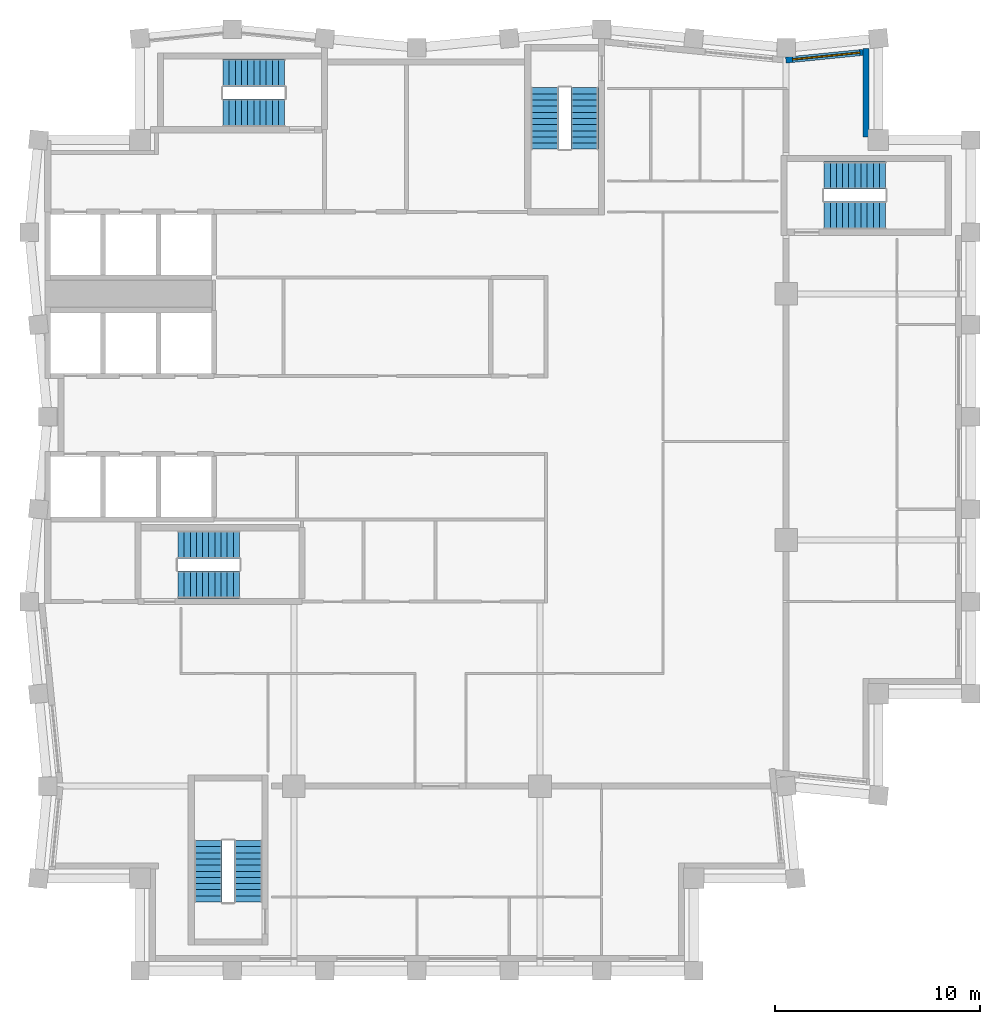
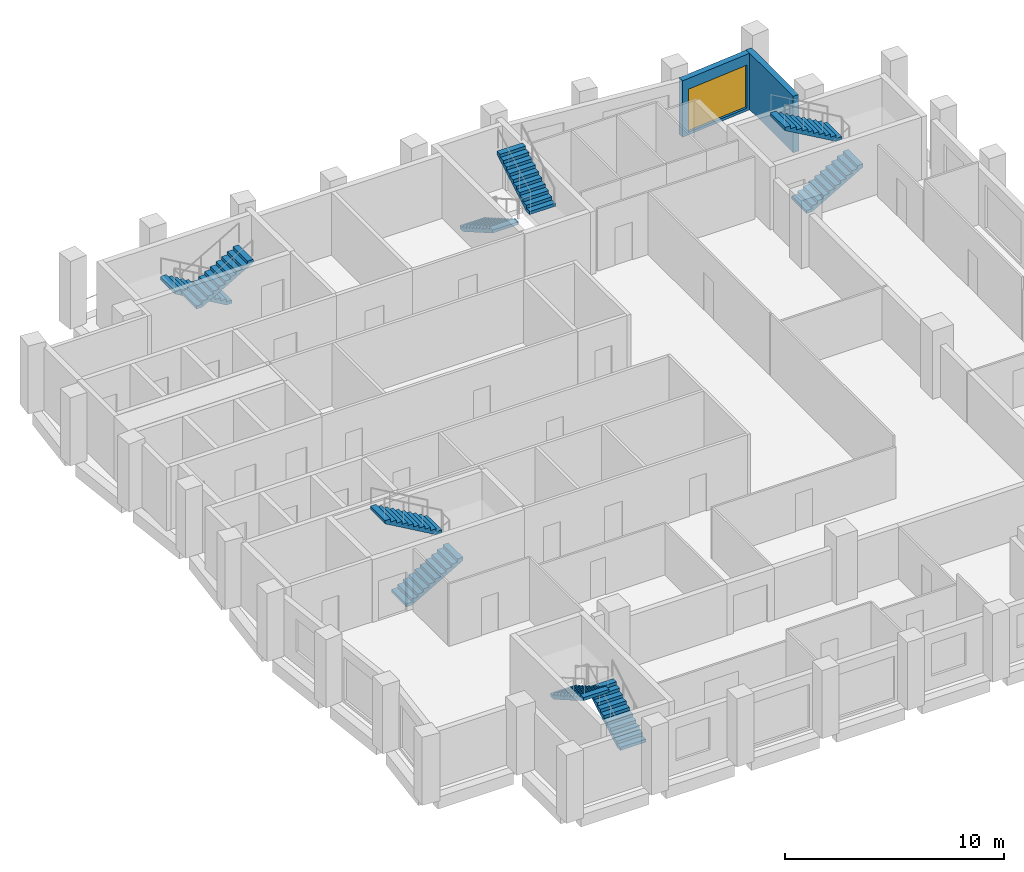
# One storey, part 6 of 7: 10 stair flights, 2 walls, 1 window, 1 opening, 5 elements without a shape of their own.
"""IFC4 building model written with IfcOpenShell, lengths in metres."""

import ifcopenshell
import ifcopenshell.guid

model = None  # the IFC model being written
_history = None  # IfcOwnerHistory: only IFC2X3 demands one
_inside = {}  # id of a spatial element -> (the spatial element, [elements in it])
_under = {}  # id of a project, library or spatial element -> (it, [spatial elements below it])
_declared = {}  # id of a project -> (the project, [libraries it declares])
_typed = {}  # id of a type object -> (the type object, [elements of that type])
_made_of = {}  # id of a material, layer set ... -> (it, [elements and type objects made of it])


def new_model(schema):
    """Start an empty IFC model of exactly this schema.

    Asked for "IFC4X3", IfcOpenShell would pick the latest addendum, in which some entities
    have other attributes; the version numbers below select the first issue.
    IFC2X3 requires an IfcOwnerHistory on every rooted entity: one is made here for all.
    """
    global model, _history
    if schema == "IFC4X3":
        model = ifcopenshell.file(schema_version=(4, 3, 0, 0))
    else:
        model = ifcopenshell.file(schema=schema)
    _inside.clear()
    _under.clear()
    _declared.clear()
    _typed.clear()
    _made_of.clear()
    _history = None
    if model.schema == "IFC2X3":
        org = make("IfcOrganization", Name="unknown")
        user = make(
            "IfcPersonAndOrganization",
            ThePerson=make("IfcPerson", FamilyName="unknown"),
            TheOrganization=org,
        )
        app = make(
            "IfcApplication",
            ApplicationDeveloper=org,
            Version="unknown",
            ApplicationFullName="unknown",
            ApplicationIdentifier="unknown",
        )
        _history = make(
            "IfcOwnerHistory",
            OwningUser=user,
            OwningApplication=app,
            ChangeAction="ADDED",
            CreationDate=0,
        )
    return model


def make(cls, **values):
    """One entity of the class cls with the attributes given. An attribute that is None is left unset."""
    return model.create_entity(
        cls, **{name: value for name, value in values.items() if value is not None}
    )


def rooted(cls, **values):
    """An entity with a GlobalId (a new one), such as an element, a storey or a relation."""
    return make(cls, GlobalId=ifcopenshell.guid.new(), OwnerHistory=_history, **values)


def si_unit(unit_type, name, prefix=None):
    """IfcSIUnit, for example si_unit("LENGTHUNIT", "METRE", prefix="MILLI")."""
    return make("IfcSIUnit", UnitType=unit_type, Prefix=prefix, Name=name)


def assignment(units):
    """IfcUnitAssignment: the units of a project."""
    return None if units is None else make("IfcUnitAssignment", Units=units)


def point(xyz):
    """IfcCartesianPoint."""
    return None if xyz is None else make("IfcCartesianPoint", Coordinates=xyz)


def direction(xyz):
    """IfcDirection."""
    return None if xyz is None else make("IfcDirection", DirectionRatios=xyz)


def frame(location, z_axis=None, x_axis=None):
    """IfcAxis2Placement3D, a coordinate frame: its origin and axes. An axis left out is left unset."""
    return make(
        "IfcAxis2Placement3D",
        Location=point(location),
        Axis=direction(z_axis),
        RefDirection=direction(x_axis),
    )


def frame_2d(location, x_axis=None):
    """IfcAxis2Placement2D, a coordinate frame in the plane: its origin and x axis."""
    return make(
        "IfcAxis2Placement2D", Location=point(location), RefDirection=direction(x_axis)
    )


def origin():
    """The frame at (0, 0, 0) with its axes left unset."""
    return frame((0.0, 0.0, 0.0))


def place(relative_to, where):
    """IfcLocalPlacement: puts the frame where relative to a parent placement (None: the world)."""
    return make(
        "IfcLocalPlacement", PlacementRelTo=relative_to, RelativePlacement=where
    )


def context(
    kind, dimensions, precision=None, world=None, true_north=None, identifier=None
):
    """IfcGeometricRepresentationContext, for example the 3D "Model" context."""
    return make(
        "IfcGeometricRepresentationContext",
        ContextIdentifier=identifier,
        ContextType=kind,
        CoordinateSpaceDimension=dimensions,
        Precision=precision,
        WorldCoordinateSystem=world,
        TrueNorth=true_north,
    )


def subcontext(parent, identifier, kind, view, scale=None):
    """IfcGeometricRepresentationSubContext, for example "Body" below "Model"."""
    return make(
        "IfcGeometricRepresentationSubContext",
        ContextIdentifier=identifier,
        ContextType=kind,
        ParentContext=parent,
        TargetScale=scale,
        TargetView=view,
    )


def project(units=None, contexts=None):
    """IfcProject with its units and contexts."""
    return rooted(
        "IfcProject",
        Name="project",
        RepresentationContexts=contexts,
        UnitsInContext=assignment(units),
    )


def spatial(cls, under=None, at=None, **own):
    """A site, building, storey or space (cls), placed at a placement, below another one or the project."""
    s = rooted(cls, ObjectPlacement=at, **own)
    if under is not None:
        _under.setdefault(under.id(), (under, []))[1].append(s)
    return s


def polyline(points):
    """IfcPolyline through the points."""
    return make("IfcPolyline", Points=[point(p) for p in points])


def profile(cls, at=None, kind="AREA", **sizes):
    """A parametric profile (cls). Its sizes go by their IFC names, for example OverallWidth=200.0."""
    return make(cls, ProfileType=kind, Position=at, **sizes)


def rectangle(**sizes):
    """IfcRectangleProfileDef."""
    return profile("IfcRectangleProfileDef", **sizes)


def outline(outer, holes=None, kind="AREA"):
    """IfcArbitraryClosedProfileDef: a profile drawn as a closed curve; with holes, ...WithVoids."""
    if holes is None:
        return make("IfcArbitraryClosedProfileDef", ProfileType=kind, OuterCurve=outer)
    return make(
        "IfcArbitraryProfileDefWithVoids",
        ProfileType=kind,
        OuterCurve=outer,
        InnerCurves=holes,
    )


def extrude(swept, where, along, depth):
    """IfcExtrudedAreaSolid: the profile swept, set in the frame where, extruded along a direction by depth."""
    return make(
        "IfcExtrudedAreaSolid",
        SweptArea=swept,
        Position=where,
        ExtrudedDirection=direction(along),
        Depth=depth,
    )


def shape(context_of_items, identifier, shape_type, items):
    """IfcShapeRepresentation: the items that make up one representation, for example the "Body"."""
    return make(
        "IfcShapeRepresentation",
        ContextOfItems=context_of_items,
        RepresentationIdentifier=identifier,
        RepresentationType=shape_type,
        Items=items,
    )


def material(Name=None, Category=None):
    """IfcMaterial."""
    return make("IfcMaterial", Name=Name, Category=Category)


def layer(
    of_material, thickness, ventilated=None, Name=None, Category=None, Priority=None
):
    """IfcMaterialLayer: one layer of a wall or slab, of a material (None: an air gap)."""
    return make(
        "IfcMaterialLayer",
        Material=of_material,
        LayerThickness=thickness,
        IsVentilated=ventilated,
        Name=Name,
        Category=Category,
        Priority=Priority,
    )


def layer_set(layers, Name=None):
    """IfcMaterialLayerSet."""
    return make("IfcMaterialLayerSet", MaterialLayers=layers, LayerSetName=Name)


def made_of(thing, what):
    """Note that an element or type object is made of a material, layer set ...; save() writes the relation."""
    if what is not None:
        _made_of.setdefault(what.id(), (what, []))[1].append(thing)
    return thing


def type_object(cls, material=None, **own):
    """A type object (cls), such as IfcWallType, which elements share."""
    return made_of(rooted(cls, **own), material)


def element(
    cls,
    number,
    at=None,
    inside=None,
    cuts=None,
    type_object=None,
    material=None,
    context=None,
    identifier="Body",
    shape_type=None,
    held_by="IfcProductDefinitionShape",
    body=None,
    shapes=None,
    **own,
):
    """One element of the class cls, such as IfcWall. Its Tag is "e" and its number.

    at: its placement. inside: the storey or other place that contains it. cuts: it is an
    opening in that element (IfcRelVoidsElement). A single representation is given by context,
    identifier, shape_type and body (its items); several are given by shapes. held_by: the class
    of the entity that holds the representations. save() writes the other relations.
    """
    e = rooted(cls, Tag="e%d" % number, ObjectPlacement=at, **own)
    if body is not None:
        shapes = [shape(context, identifier, shape_type, body)]
    if shapes is not None:
        e.Representation = make(held_by, Representations=shapes)
    if inside is not None:
        _inside.setdefault(inside.id(), (inside, []))[1].append(e)
    if cuts is not None:
        rooted(
            "IfcRelVoidsElement", RelatingBuildingElement=cuts, RelatedOpeningElement=e
        )
    if type_object is not None:
        _typed.setdefault(type_object.id(), (type_object, []))[1].append(e)
    return made_of(e, material)


def fill(opening, filler):
    """IfcRelFillsElement: the door or window that sits in an opening."""
    return rooted(
        "IfcRelFillsElement",
        RelatingOpeningElement=opening,
        RelatedBuildingElement=filler,
    )


def aggregate(whole, parts):
    """IfcRelAggregates: a whole, such as a stair, and the parts it consists of."""
    return rooted("IfcRelAggregates", RelatingObject=whole, RelatedObjects=parts)


def save(model, path):
    """Write the relations noted so far, then the file.

    IfcRelAggregates (storeys below a building ...), IfcRelContainedInSpatialStructure (elements
    in a storey), IfcRelDefinesByType, IfcRelAssociatesMaterial and IfcRelDeclares: one each for
    every whole, place, type object, material and project.
    """
    for whole, parts in _under.values():
        aggregate(whole, parts)
    for where, things in _inside.values():
        rooted(
            "IfcRelContainedInSpatialStructure",
            RelatedElements=things,
            RelatingStructure=where,
        )
    for kind, things in _typed.values():
        rooted("IfcRelDefinesByType", RelatedObjects=things, RelatingType=kind)
    for what, things in _made_of.values():
        rooted("IfcRelAssociatesMaterial", RelatedObjects=things, RelatingMaterial=what)
    for by, libraries in _declared.values():
        rooted("IfcRelDeclares", RelatingContext=by, RelatedDefinitions=libraries)
    model.write(path)


model = new_model("IFC4")

# Units and contexts
model_context = context("Model", 3, precision=1e-05, world=origin(), true_north=direction((0.0, 1.0)))
body_context = subcontext(model_context, "Body", "Model", "MODEL_VIEW")
ifc_project = project(units=[si_unit("LENGTHUNIT", "METRE"), si_unit("AREAUNIT", "SQUARE_METRE"), si_unit("VOLUMEUNIT", "CUBIC_METRE"), si_unit("PLANEANGLEUNIT", "RADIAN"), si_unit("MASSUNIT", "GRAM", prefix="KILO")], contexts=[model_context])

# Site, building, storey
site_placement = place(None, origin())
site = spatial("IfcSite", under=ifc_project, at=site_placement, CompositionType="ELEMENT")
building_placement = place(site_placement, origin())
building = spatial("IfcBuilding", under=site, at=building_placement, Name="Brondeck Convention Tower", CompositionType="ELEMENT")
storey_placement = place(building_placement, frame((0.0, 0.0, 271.39990234375)))
storey = spatial("IfcBuildingStorey", under=building, at=storey_placement, Name="L67", CompositionType="ELEMENT", Elevation=271.39990234375)

# Wall
ifc_material_1 = material(Name="Precast concrete C50/60 bronze finish", Category="concrete")
ifc_layer_1 = layer(ifc_material_1, 0.070068359375, Name="Bronze precast facing")
ifc_material_2 = material(Name="Mineral wool")
ifc_layer_2 = layer(ifc_material_2, 0.159912109375, Name="Insulation")
ifc_material_3 = material(Name="Concrete C35/45", Category="concrete")
ifc_layer_3 = layer(ifc_material_3, 0.070068359375, Name="Backing")
ifc_layer_set = layer_set([ifc_layer_1, ifc_layer_2, ifc_layer_3], Name="External infill wall, precast concrete C50/60 bronze facing")
wall_type = type_object("IfcWallType", Name="External infill wall, precast concrete C50/60 bronze facing", PredefinedType="SOLIDWALL", material=ifc_layer_set)
wall_1_placement = place(storey_placement, frame((39.89990234375, 62.952880859375, 0.0), z_axis=(0.0, 0.0, 1.0), x_axis=(0.0, -1.0, 0.0)))
element("IfcWall", 1, at=wall_1_placement, inside=storey, type_object=wall_type, Name="ENV-EW-L67-P3-NC-NEA45-02", PredefinedType="SOLIDWALL", context=body_context, shape_type="SweptSolid", body=[
    extrude(rectangle(XDim=4.302978515625, YDim=0.300048828125, at=frame_2d((2.1513671875, 0.0))), origin(), (0.0, 0.0, 1.0), 3.150146484375),
])

# Wall, opening, window
wall_2_placement = place(storey_placement, frame((35.985107421875, 62.3955078125, 0.0), z_axis=(0.0, 0.0, 1.0), x_axis=(0.99503719021, 0.099503719021, 0.0)))
wall_2 = element("IfcWall", 2, at=wall_2_placement, inside=storey, type_object=wall_type, Name="ENV-EW-L67-P3-A-N-08", PredefinedType="SOLIDWALL", context=body_context, shape_type="SweptSolid", body=[
    extrude(rectangle(XDim=3.778564453125, YDim=0.300048828125, at=frame_2d((1.88916015625, 0.0))), origin(), (0.0, 0.0, 1.0), 3.150146484375),
])
opening_placement = place(wall_2_placement, frame((0.32861328125, 0.0, 0.14990234375)))
opening = element("IfcOpeningElement", 3, at=opening_placement, cuts=wall_2, Name="Opening W9", PredefinedType="OPENING", context=body_context, shape_type="SweptSolid", body=[
    extrude(rectangle(XDim=3.300048828125, YDim=2.39990234375, at=frame_2d((1.64990234375, 1.199951171875))), frame((0.0, 0.159912109375, 0.0), z_axis=(0.0, -1.0, 0.0), x_axis=(1.0, 0.0, 0.0)), (0.0, 0.0, 1.0), 0.320068359375),
])
ifc_material_4 = material(Name="Bronze tinted double glazing", Category="glass")
window_type = type_object("IfcWindowType", Name="Glazed flute window, bronze tinted", PartitioningType="SINGLE_PANEL", PredefinedType="WINDOW", material=ifc_material_4)
window_placement = place(opening_placement, origin())
window = element("IfcWindow", 4, at=window_placement, inside=storey, type_object=window_type, Name="ENV-WN-L67-P3-A-N-08", OverallHeight=2.39990234375, OverallWidth=3.300048828125, PartitioningType="SINGLE_PANEL", PredefinedType="WINDOW", context=body_context, shape_type="SweptSolid", body=[
    extrude(rectangle(XDim=3.300048828125, YDim=2.39990234375, at=frame_2d((1.64990234375, 1.199951171875))), frame((0.0, 0.030029296875, 0.0), z_axis=(0.0, -1.0, 0.0), x_axis=(1.0, 0.0, 0.0)), (0.0, 0.0, 1.0), 0.06005859375),
])
fill(opening, window)

# Stair, stair flights
ifc_material_5 = material(Name="Precast concrete C50/60", Category="concrete")
stair_type = type_object("IfcStairType", Name="Core stair 22 risers 172.73 mm riser 300 mm going 1350 wide", PredefinedType="HALF_TURN_STAIR", material=ifc_material_5)
stair_1_placement = place(storey_placement, origin())
stair_1 = element("IfcStair", 5, at=stair_1_placement, inside=storey, type_object=stair_type, Name="ST-1 L67 stair", PredefinedType="HALF_TURN_STAIR")
stair_flight_type = type_object("IfcStairFlightType", Name="Core stair flight 22 risers 172.73 mm riser 300 mm going 1350 wide", PredefinedType="STRAIGHT", material=ifc_material_5)
stair_flight_1_placement = place(storey_placement, frame((6.35009765625, 36.824951171875, 0.0), z_axis=(0.0, 0.0, 1.0), x_axis=(1.0, 0.0, 0.0)))
stair_flight_1 = element("IfcStairFlight", 6, at=stair_flight_1_placement, type_object=stair_flight_type, Name="ST-1 flight 1", NumberOfRisers=11, NumberOfTreads=10, PredefinedType="STRAIGHT", RiserHeight=0.172727273, TreadLength=0.3, context=body_context, shape_type="SweptSolid", body=[
    extrude(outline(polyline([(0.0, 0.0), (0.0, 0.172607421875), (0.300048828125, 0.172607421875), (0.300048828125, 0.345458984375), (0.60009765625, 0.345458984375), (0.60009765625, 0.51806640625), (0.89990234375, 0.51806640625), (0.89990234375, 0.69091796875), (1.199951171875, 0.69091796875), (1.199951171875, 0.863525390625), (1.5, 0.863525390625), (1.5, 1.036376953125), (1.800048828125, 1.036376953125), (1.800048828125, 1.208984375), (2.10009765625, 1.208984375), (2.10009765625, 1.3818359375), (2.39990234375, 1.3818359375), (2.39990234375, 1.554443359375), (2.699951171875, 1.554443359375), (2.699951171875, 1.727294921875), (3.0, 1.727294921875), (3.0, 1.89990234375), (3.0, 1.55419921875), (0.300537109375, 0.0), (0.0, 0.0)])), frame((0.0, 0.675048828125, 0.0), z_axis=(0.0, -1.0, 0.0), x_axis=(1.0, 0.0, 0.0)), (0.0, 0.0, 1.0), 1.35009765625),
])
stair_flight_2_placement = place(storey_placement, frame((9.35009765625, 38.77490234375, 1.900146484375), z_axis=(0.0, 0.0, 1.0), x_axis=(-1.0, 0.0, 0.0)))
stair_flight_2 = element("IfcStairFlight", 7, at=stair_flight_2_placement, type_object=stair_flight_type, Name="ST-1 flight 2", NumberOfRisers=11, NumberOfTreads=10, PredefinedType="STRAIGHT", RiserHeight=0.172727273, TreadLength=0.3, context=body_context, shape_type="SweptSolid", body=[
    extrude(outline(polyline([(0.0, 0.0), (0.0, 0.172607421875), (0.300048828125, 0.172607421875), (0.300048828125, 0.345458984375), (0.60009765625, 0.345458984375), (0.60009765625, 0.51806640625), (0.89990234375, 0.51806640625), (0.89990234375, 0.69091796875), (1.199951171875, 0.69091796875), (1.199951171875, 0.863525390625), (1.5, 0.863525390625), (1.5, 1.036376953125), (1.800048828125, 1.036376953125), (1.800048828125, 1.208984375), (2.10009765625, 1.208984375), (2.10009765625, 1.3818359375), (2.39990234375, 1.3818359375), (2.39990234375, 1.554443359375), (2.699951171875, 1.554443359375), (2.699951171875, 1.727294921875), (3.0, 1.727294921875), (3.0, 1.89990234375), (3.0, 1.55419921875), (0.300537109375, 0.0), (0.0, 0.0)])), frame((0.0, 0.675048828125, 0.0), z_axis=(0.0, -1.0, 0.0), x_axis=(1.0, 0.0, 0.0)), (0.0, 0.0, 1.0), 1.35009765625),
])
aggregate(stair_1, [stair_flight_1, stair_flight_2])

stair_2_placement = place(storey_placement, origin())
stair_2 = element("IfcStair", 8, at=stair_2_placement, inside=storey, type_object=stair_type, Name="ST-2 L67 stair", PredefinedType="HALF_TURN_STAIR")
stair_flight_3_placement = place(storey_placement, frame((24.22509765625, 61.050048828125, 0.0), z_axis=(0.0, 0.0, 1.0), x_axis=(0.0, -1.0, 0.0)))
stair_flight_3 = element("IfcStairFlight", 9, at=stair_flight_3_placement, type_object=stair_flight_type, Name="ST-2 flight 1", NumberOfRisers=11, NumberOfTreads=10, PredefinedType="STRAIGHT", RiserHeight=0.172727273, TreadLength=0.3, context=body_context, shape_type="SweptSolid", body=[
    extrude(outline(polyline([(0.0, 0.0), (0.0, 0.172607421875), (0.300048828125, 0.172607421875), (0.300048828125, 0.345458984375), (0.60009765625, 0.345458984375), (0.60009765625, 0.51806640625), (0.89990234375, 0.51806640625), (0.89990234375, 0.69091796875), (1.199951171875, 0.69091796875), (1.199951171875, 0.863525390625), (1.5, 0.863525390625), (1.5, 1.036376953125), (1.800048828125, 1.036376953125), (1.800048828125, 1.208984375), (2.10009765625, 1.208984375), (2.10009765625, 1.3818359375), (2.39990234375, 1.3818359375), (2.39990234375, 1.554443359375), (2.699951171875, 1.554443359375), (2.699951171875, 1.727294921875), (3.0, 1.727294921875), (3.0, 1.89990234375), (3.0, 1.55419921875), (0.300537109375, 0.0), (0.0, 0.0)])), frame((0.0, 0.675048828125, 0.0), z_axis=(0.0, -1.0, 0.0), x_axis=(1.0, 0.0, 0.0)), (0.0, 0.0, 1.0), 1.35009765625),
])
stair_flight_4_placement = place(storey_placement, frame((26.175048828125, 58.050048828125, 1.900146484375), z_axis=(0.0, 0.0, 1.0), x_axis=(0.0, 1.0, 0.0)))
stair_flight_4 = element("IfcStairFlight", 10, at=stair_flight_4_placement, type_object=stair_flight_type, Name="ST-2 flight 2", NumberOfRisers=11, NumberOfTreads=10, PredefinedType="STRAIGHT", RiserHeight=0.172727273, TreadLength=0.3, context=body_context, shape_type="SweptSolid", body=[
    extrude(outline(polyline([(0.0, 0.0), (0.0, 0.172607421875), (0.300048828125, 0.172607421875), (0.300048828125, 0.345458984375), (0.60009765625, 0.345458984375), (0.60009765625, 0.51806640625), (0.89990234375, 0.51806640625), (0.89990234375, 0.69091796875), (1.199951171875, 0.69091796875), (1.199951171875, 0.863525390625), (1.5, 0.863525390625), (1.5, 1.036376953125), (1.800048828125, 1.036376953125), (1.800048828125, 1.208984375), (2.10009765625, 1.208984375), (2.10009765625, 1.3818359375), (2.39990234375, 1.3818359375), (2.39990234375, 1.554443359375), (2.699951171875, 1.554443359375), (2.699951171875, 1.727294921875), (3.0, 1.727294921875), (3.0, 1.89990234375), (3.0, 1.55419921875), (0.300537109375, 0.0), (0.0, 0.0)])), frame((0.0, 0.675048828125, 0.0), z_axis=(0.0, -1.0, 0.0), x_axis=(1.0, 0.0, 0.0)), (0.0, 0.0, 1.0), 1.35009765625),
])
aggregate(stair_2, [stair_flight_3, stair_flight_4])

stair_3_placement = place(storey_placement, origin())
stair_3 = element("IfcStair", 11, at=stair_3_placement, inside=storey, type_object=stair_type, Name="ST-3 L67 stair", PredefinedType="HALF_TURN_STAIR")
stair_flight_5_placement = place(storey_placement, frame((11.550048828125, 61.77490234375, 0.0), z_axis=(0.0, 0.0, 1.0), x_axis=(-1.0, 0.0, 0.0)))
stair_flight_5 = element("IfcStairFlight", 12, at=stair_flight_5_placement, type_object=stair_flight_type, Name="ST-3 flight 1", NumberOfRisers=11, NumberOfTreads=10, PredefinedType="STRAIGHT", RiserHeight=0.172727273, TreadLength=0.3, context=body_context, shape_type="SweptSolid", body=[
    extrude(outline(polyline([(0.0, 0.0), (0.0, 0.172607421875), (0.300048828125, 0.172607421875), (0.300048828125, 0.345458984375), (0.60009765625, 0.345458984375), (0.60009765625, 0.51806640625), (0.89990234375, 0.51806640625), (0.89990234375, 0.69091796875), (1.199951171875, 0.69091796875), (1.199951171875, 0.863525390625), (1.5, 0.863525390625), (1.5, 1.036376953125), (1.800048828125, 1.036376953125), (1.800048828125, 1.208984375), (2.10009765625, 1.208984375), (2.10009765625, 1.3818359375), (2.39990234375, 1.3818359375), (2.39990234375, 1.554443359375), (2.699951171875, 1.554443359375), (2.699951171875, 1.727294921875), (3.0, 1.727294921875), (3.0, 1.89990234375), (3.0, 1.55419921875), (0.300537109375, 0.0), (0.0, 0.0)])), frame((0.0, 0.675048828125, 0.0), z_axis=(0.0, -1.0, 0.0), x_axis=(1.0, 0.0, 0.0)), (0.0, 0.0, 1.0), 1.35009765625),
])
stair_flight_6_placement = place(storey_placement, frame((8.550048828125, 59.824951171875, 1.900146484375), z_axis=(0.0, 0.0, 1.0), x_axis=(1.0, 0.0, 0.0)))
stair_flight_6 = element("IfcStairFlight", 13, at=stair_flight_6_placement, type_object=stair_flight_type, Name="ST-3 flight 2", NumberOfRisers=11, NumberOfTreads=10, PredefinedType="STRAIGHT", RiserHeight=0.172727273, TreadLength=0.3, context=body_context, shape_type="SweptSolid", body=[
    extrude(outline(polyline([(0.0, 0.0), (0.0, 0.172607421875), (0.300048828125, 0.172607421875), (0.300048828125, 0.345458984375), (0.60009765625, 0.345458984375), (0.60009765625, 0.51806640625), (0.89990234375, 0.51806640625), (0.89990234375, 0.69091796875), (1.199951171875, 0.69091796875), (1.199951171875, 0.863525390625), (1.5, 0.863525390625), (1.5, 1.036376953125), (1.800048828125, 1.036376953125), (1.800048828125, 1.208984375), (2.10009765625, 1.208984375), (2.10009765625, 1.3818359375), (2.39990234375, 1.3818359375), (2.39990234375, 1.554443359375), (2.699951171875, 1.554443359375), (2.699951171875, 1.727294921875), (3.0, 1.727294921875), (3.0, 1.89990234375), (3.0, 1.55419921875), (0.300537109375, 0.0), (0.0, 0.0)])), frame((0.0, 0.675048828125, 0.0), z_axis=(0.0, -1.0, 0.0), x_axis=(1.0, 0.0, 0.0)), (0.0, 0.0, 1.0), 1.35009765625),
])
aggregate(stair_3, [stair_flight_5, stair_flight_6])

stair_4_placement = place(storey_placement, origin())
stair_4 = element("IfcStair", 14, at=stair_4_placement, inside=storey, type_object=stair_type, Name="ST-AE L67 stair", PredefinedType="HALF_TURN_STAIR")
stair_flight_7_placement = place(storey_placement, frame((37.85009765625, 54.824951171875, 0.0), z_axis=(0.0, 0.0, 1.0), x_axis=(1.0, 0.0, 0.0)))
stair_flight_7 = element("IfcStairFlight", 15, at=stair_flight_7_placement, type_object=stair_flight_type, Name="ST-AE flight 1", NumberOfRisers=11, NumberOfTreads=10, PredefinedType="STRAIGHT", RiserHeight=0.172727273, TreadLength=0.3, context=body_context, shape_type="SweptSolid", body=[
    extrude(outline(polyline([(0.0, 0.0), (0.0, 0.172607421875), (0.300048828125, 0.172607421875), (0.300048828125, 0.345458984375), (0.60009765625, 0.345458984375), (0.60009765625, 0.51806640625), (0.89990234375, 0.51806640625), (0.89990234375, 0.69091796875), (1.199951171875, 0.69091796875), (1.199951171875, 0.863525390625), (1.5, 0.863525390625), (1.5, 1.036376953125), (1.800048828125, 1.036376953125), (1.800048828125, 1.208984375), (2.10009765625, 1.208984375), (2.10009765625, 1.3818359375), (2.39990234375, 1.3818359375), (2.39990234375, 1.554443359375), (2.699951171875, 1.554443359375), (2.699951171875, 1.727294921875), (3.0, 1.727294921875), (3.0, 1.89990234375), (3.0, 1.55419921875), (0.300537109375, 0.0), (0.0, 0.0)])), frame((0.0, 0.675048828125, 0.0), z_axis=(0.0, -1.0, 0.0), x_axis=(1.0, 0.0, 0.0)), (0.0, 0.0, 1.0), 1.35009765625),
])
stair_flight_8_placement = place(storey_placement, frame((40.85009765625, 56.77490234375, 1.900146484375), z_axis=(0.0, 0.0, 1.0), x_axis=(-1.0, 0.0, 0.0)))
stair_flight_8 = element("IfcStairFlight", 16, at=stair_flight_8_placement, type_object=stair_flight_type, Name="ST-AE flight 2", NumberOfRisers=11, NumberOfTreads=10, PredefinedType="STRAIGHT", RiserHeight=0.172727273, TreadLength=0.3, context=body_context, shape_type="SweptSolid", body=[
    extrude(outline(polyline([(0.0, 0.0), (0.0, 0.172607421875), (0.300048828125, 0.172607421875), (0.300048828125, 0.345458984375), (0.60009765625, 0.345458984375), (0.60009765625, 0.51806640625), (0.89990234375, 0.51806640625), (0.89990234375, 0.69091796875), (1.199951171875, 0.69091796875), (1.199951171875, 0.863525390625), (1.5, 0.863525390625), (1.5, 1.036376953125), (1.800048828125, 1.036376953125), (1.800048828125, 1.208984375), (2.10009765625, 1.208984375), (2.10009765625, 1.3818359375), (2.39990234375, 1.3818359375), (2.39990234375, 1.554443359375), (2.699951171875, 1.554443359375), (2.699951171875, 1.727294921875), (3.0, 1.727294921875), (3.0, 1.89990234375), (3.0, 1.55419921875), (0.300537109375, 0.0), (0.0, 0.0)])), frame((0.0, 0.675048828125, 0.0), z_axis=(0.0, -1.0, 0.0), x_axis=(1.0, 0.0, 0.0)), (0.0, 0.0, 1.0), 1.35009765625),
])
aggregate(stair_4, [stair_flight_7, stair_flight_8])

stair_5_placement = place(storey_placement, origin())
stair_5 = element("IfcStair", 17, at=stair_5_placement, inside=storey, type_object=stair_type, Name="ST-BE L67 stair", PredefinedType="HALF_TURN_STAIR")
stair_flight_9_placement = place(storey_placement, frame((9.77490234375, 21.35009765625, 0.0), z_axis=(0.0, 0.0, 1.0), x_axis=(0.0, 1.0, 0.0)))
stair_flight_9 = element("IfcStairFlight", 18, at=stair_flight_9_placement, type_object=stair_flight_type, Name="ST-BE flight 1", NumberOfRisers=11, NumberOfTreads=10, PredefinedType="STRAIGHT", RiserHeight=0.172727273, TreadLength=0.3, context=body_context, shape_type="SweptSolid", body=[
    extrude(outline(polyline([(0.0, 0.0), (0.0, 0.172607421875), (0.300048828125, 0.172607421875), (0.300048828125, 0.345458984375), (0.60009765625, 0.345458984375), (0.60009765625, 0.51806640625), (0.89990234375, 0.51806640625), (0.89990234375, 0.69091796875), (1.199951171875, 0.69091796875), (1.199951171875, 0.863525390625), (1.5, 0.863525390625), (1.5, 1.036376953125), (1.800048828125, 1.036376953125), (1.800048828125, 1.208984375), (2.10009765625, 1.208984375), (2.10009765625, 1.3818359375), (2.39990234375, 1.3818359375), (2.39990234375, 1.554443359375), (2.699951171875, 1.554443359375), (2.699951171875, 1.727294921875), (3.0, 1.727294921875), (3.0, 1.89990234375), (3.0, 1.55419921875), (0.300537109375, 0.0), (0.0, 0.0)])), frame((0.0, 0.675048828125, 0.0), z_axis=(0.0, -1.0, 0.0), x_axis=(1.0, 0.0, 0.0)), (0.0, 0.0, 1.0), 1.35009765625),
])
stair_flight_10_placement = place(storey_placement, frame((7.824951171875, 24.35009765625, 1.900146484375), z_axis=(0.0, 0.0, 1.0), x_axis=(0.0, -1.0, 0.0)))
stair_flight_10 = element("IfcStairFlight", 19, at=stair_flight_10_placement, type_object=stair_flight_type, Name="ST-BE flight 2", NumberOfRisers=11, NumberOfTreads=10, PredefinedType="STRAIGHT", RiserHeight=0.172727273, TreadLength=0.3, context=body_context, shape_type="SweptSolid", body=[
    extrude(outline(polyline([(0.0, 0.0), (0.0, 0.172607421875), (0.300048828125, 0.172607421875), (0.300048828125, 0.345458984375), (0.60009765625, 0.345458984375), (0.60009765625, 0.51806640625), (0.89990234375, 0.51806640625), (0.89990234375, 0.69091796875), (1.199951171875, 0.69091796875), (1.199951171875, 0.863525390625), (1.5, 0.863525390625), (1.5, 1.036376953125), (1.800048828125, 1.036376953125), (1.800048828125, 1.208984375), (2.10009765625, 1.208984375), (2.10009765625, 1.3818359375), (2.39990234375, 1.3818359375), (2.39990234375, 1.554443359375), (2.699951171875, 1.554443359375), (2.699951171875, 1.727294921875), (3.0, 1.727294921875), (3.0, 1.89990234375), (3.0, 1.55419921875), (0.300537109375, 0.0), (0.0, 0.0)])), frame((0.0, 0.675048828125, 0.0), z_axis=(0.0, -1.0, 0.0), x_axis=(1.0, 0.0, 0.0)), (0.0, 0.0, 1.0), 1.35009765625),
])
aggregate(stair_5, [stair_flight_9, stair_flight_10])

save(model, "model.ifc")
